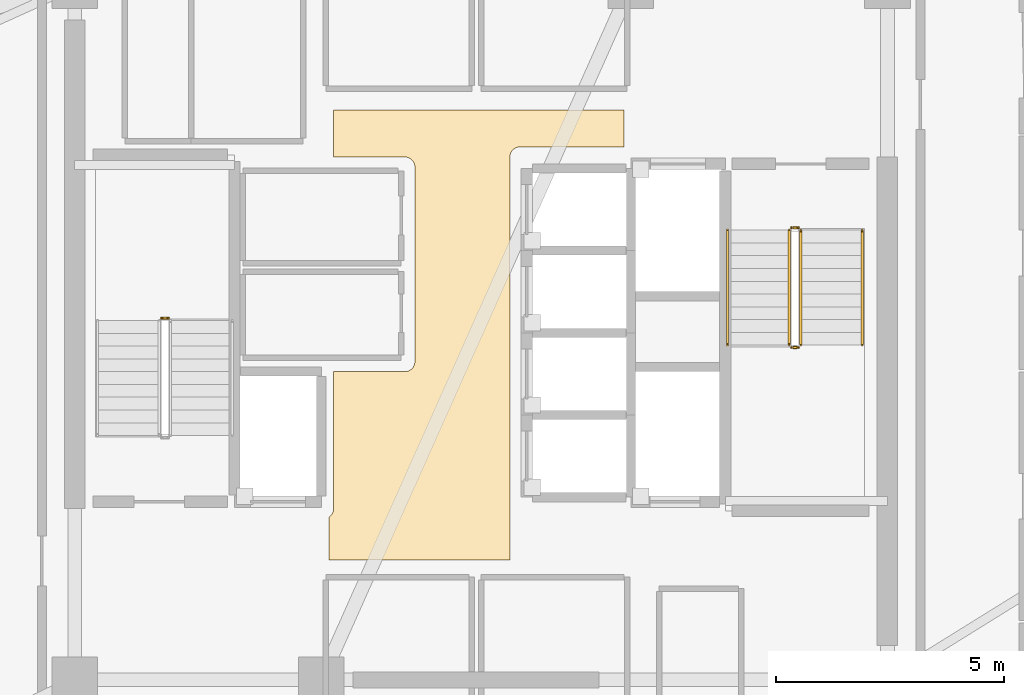
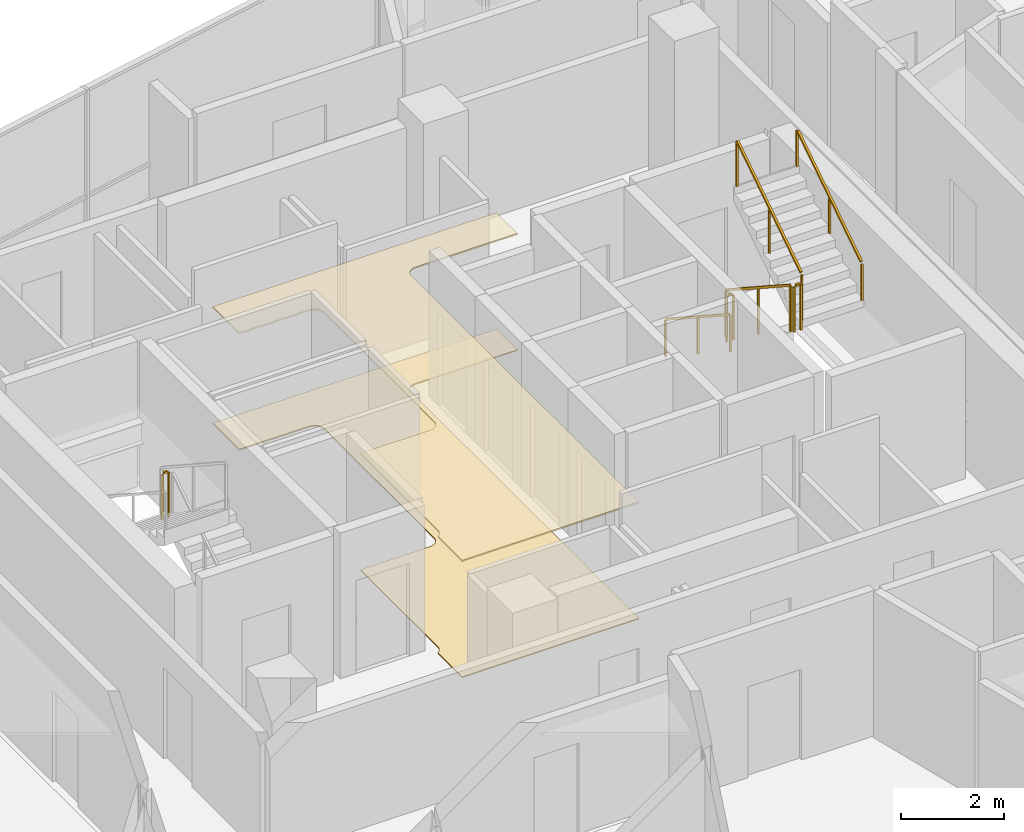
# One storey, part 16 of 17: 7 railings, 2 coverings.
"""IFC4 building model written with IfcOpenShell, lengths in metres."""

from ifc_helpers import new_model, si_unit, direction, frame, origin, origin_2d, place, context, subcontext, project, spatial, polyline, rectangle, outline, extrude, material, layer, layer_set, type_object, element, save


model = new_model("IFC4")

# Units and contexts
model_context = context("Model", 3, precision=1e-05, world=origin(), true_north=direction((0.0, 1.0)))
body_context = subcontext(model_context, "Body", "Model", "MODEL_VIEW")
ifc_project = project(units=[si_unit("LENGTHUNIT", "METRE"), si_unit("AREAUNIT", "SQUARE_METRE"), si_unit("VOLUMEUNIT", "CUBIC_METRE"), si_unit("PLANEANGLEUNIT", "RADIAN"), si_unit("MASSUNIT", "GRAM", prefix="KILO")], contexts=[model_context])

# Site, building, storey
site_placement = place(None, origin())
site = spatial("IfcSite", under=ifc_project, at=site_placement, CompositionType="ELEMENT")
building_placement = place(site_placement, origin())
building = spatial("IfcBuilding", under=site, at=building_placement, Name="Tharavind Bronze Gate", CompositionType="ELEMENT")
storey_placement = place(building_placement, frame((0.0, 0.0, 294.35009765625)))
storey = spatial("IfcBuildingStorey", under=building, at=storey_placement, Name="L76", CompositionType="ELEMENT", Elevation=294.35009765625)

# Coverings
ifc_material_1 = material(Name="Perforated Bronze Acoustic Panel", Category="bronze")
ifc_layer_1 = layer(ifc_material_1, 0.044921875)
ifc_layer_set_1 = layer_set([ifc_layer_1], Name="Perforated Bronze Acoustic Panel")
covering_type_1 = type_object("IfcCoveringType", Name="ACOUSTIC BRONZE BAFFLE CEILING", PredefinedType="CEILING", material=ifc_layer_set_1)
covering_1_placement = place(storey_placement, frame((0.0, 0.0, 2.75)))
element("IfcCovering", 1, at=covering_1_placement, inside=storey, type_object=covering_type_1, Name="L76-C-LL suspended ceiling", PredefinedType="CEILING", context=body_context, shape_type="SweptSolid", body=[
    extrude(outline(polyline([(-3.330078125, -4.97998046875), (0.6298828125, -4.97998046875), (0.6298828125, 3.85009765625), (0.631103515625, 3.87158203125), (0.63427734375, 3.892822265625), (0.639404296875, 3.913818359375), (0.646728515625, 3.93408203125), (0.656005859375, 3.95361328125), (0.6669921875, 3.97216796875), (0.679931640625, 3.989501953125), (0.6943359375, 4.005615234375), (0.71044921875, 4.02001953125), (0.727783203125, 4.032958984375), (0.746337890625, 4.0439453125), (0.765869140625, 4.05322265625), (0.7861328125, 4.060546875), (0.80712890625, 4.06591796875), (0.828369140625, 4.06884765625), (0.85009765625, 4.070068359375), (3.1298828125, 4.070068359375), (3.1298828125, 4.8798828125), (-3.22998046875, 4.8798828125), (-3.22998046875, 3.85009765625), (-1.669921875, 3.85009765625), (-1.6484375, 3.848876953125), (-1.627197265625, 3.845703125), (-1.606201171875, 3.840576171875), (-1.585693359375, 3.833251953125), (-1.56640625, 3.823974609375), (-1.5478515625, 3.81298828125), (-1.530517578125, 3.800048828125), (-1.514404296875, 3.78564453125), (-1.5, 3.76953125), (-1.487060546875, 3.752197265625), (-1.47607421875, 3.733642578125), (-1.466796875, 3.714111328125), (-1.45947265625, 3.69384765625), (-1.4541015625, 3.6728515625), (-1.451171875, 3.651611328125), (-1.449951171875, 3.6298828125), (-1.449951171875, 1.43994140625), (-1.450439453125, 1.429931640625), (-1.449951171875, 1.419921875), (-1.449951171875, -0.6298828125), (-1.451171875, -0.651611328125), (-1.4541015625, -0.6728515625), (-1.45947265625, -0.69384765625), (-1.466796875, -0.714111328125), (-1.47607421875, -0.733642578125), (-1.487060546875, -0.752197265625), (-1.5, -0.76953125), (-1.514404296875, -0.78564453125), (-1.530517578125, -0.800048828125), (-1.5478515625, -0.81298828125), (-1.56640625, -0.823974609375), (-1.585693359375, -0.833251953125), (-1.606201171875, -0.840576171875), (-1.627197265625, -0.845703125), (-1.6484375, -0.848876953125), (-1.669921875, -0.85009765625), (-3.22998046875, -0.85009765625), (-3.22998046875, -3.85009765625), (-3.231201171875, -3.87158203125), (-3.234130859375, -3.892822265625), (-3.239501953125, -3.913818359375), (-3.24658203125, -3.93408203125), (-3.256103515625, -3.95361328125), (-3.26708984375, -3.97216796875), (-3.27978515625, -3.989501953125), (-3.29443359375, -4.005615234375), (-3.310302734375, -4.02001953125), (-3.327880859375, -4.032958984375), (-3.330078125, -4.0341796875), (-3.330078125, -4.97998046875)])), origin(), (0.0, 0.0, 1.0), 0.034912109375),
])
ifc_material_2 = material(Name="Honed Travertine Limestone", Category="masonry")
ifc_layer_2 = layer(ifc_material_2, 0.030029296875)
ifc_layer_set_2 = layer_set([ifc_layer_2], Name="Honed Travertine Limestone")
covering_type_2 = type_object("IfcCoveringType", Name="HONED LIMESTONE FLOORING", PredefinedType="FLOORING", material=ifc_layer_set_2)
covering_2_placement = place(storey_placement, origin())
element("IfcCovering", 2, at=covering_2_placement, inside=storey, type_object=covering_type_2, Name="L76-C-LL floor finish", PredefinedType="FLOORING", context=body_context, shape_type="SweptSolid", body=[
    extrude(outline(polyline([(-3.330078125, -4.97998046875), (0.6298828125, -4.97998046875), (0.6298828125, 3.85009765625), (0.631103515625, 3.87158203125), (0.63427734375, 3.892822265625), (0.639404296875, 3.913818359375), (0.646728515625, 3.93408203125), (0.656005859375, 3.95361328125), (0.6669921875, 3.97216796875), (0.679931640625, 3.989501953125), (0.6943359375, 4.005615234375), (0.71044921875, 4.02001953125), (0.727783203125, 4.032958984375), (0.746337890625, 4.0439453125), (0.765869140625, 4.05322265625), (0.7861328125, 4.060546875), (0.80712890625, 4.06591796875), (0.828369140625, 4.06884765625), (0.85009765625, 4.070068359375), (3.1298828125, 4.070068359375), (3.1298828125, 4.8798828125), (-3.22998046875, 4.8798828125), (-3.22998046875, 3.85009765625), (-1.669921875, 3.85009765625), (-1.6484375, 3.848876953125), (-1.627197265625, 3.845703125), (-1.606201171875, 3.840576171875), (-1.585693359375, 3.833251953125), (-1.56640625, 3.823974609375), (-1.5478515625, 3.81298828125), (-1.530517578125, 3.800048828125), (-1.514404296875, 3.78564453125), (-1.5, 3.76953125), (-1.487060546875, 3.752197265625), (-1.47607421875, 3.733642578125), (-1.466796875, 3.714111328125), (-1.45947265625, 3.69384765625), (-1.4541015625, 3.6728515625), (-1.451171875, 3.651611328125), (-1.449951171875, 3.6298828125), (-1.449951171875, 1.43994140625), (-1.450439453125, 1.429931640625), (-1.449951171875, 1.419921875), (-1.449951171875, -0.6298828125), (-1.451171875, -0.651611328125), (-1.4541015625, -0.6728515625), (-1.45947265625, -0.69384765625), (-1.466796875, -0.714111328125), (-1.47607421875, -0.733642578125), (-1.487060546875, -0.752197265625), (-1.5, -0.76953125), (-1.514404296875, -0.78564453125), (-1.530517578125, -0.800048828125), (-1.5478515625, -0.81298828125), (-1.56640625, -0.823974609375), (-1.585693359375, -0.833251953125), (-1.606201171875, -0.840576171875), (-1.627197265625, -0.845703125), (-1.6484375, -0.848876953125), (-1.669921875, -0.85009765625), (-3.22998046875, -0.85009765625), (-3.22998046875, -3.85009765625), (-3.231201171875, -3.87158203125), (-3.234130859375, -3.892822265625), (-3.239501953125, -3.913818359375), (-3.24658203125, -3.93408203125), (-3.256103515625, -3.95361328125), (-3.26708984375, -3.97216796875), (-3.27978515625, -3.989501953125), (-3.29443359375, -4.005615234375), (-3.310302734375, -4.02001953125), (-3.327880859375, -4.032958984375), (-3.330078125, -4.0341796875), (-3.330078125, -4.97998046875)])), origin(), (0.0, 0.0, 1.0), 0.02490234375),
])

# Railings
ifc_material_3 = material(Name="Brushed Bronze Alloy", Category="metal")
railing_type_1 = type_object("IfcRailingType", Name="STAIR BRONZE HANDRAIL 900", PredefinedType="HANDRAIL", material=ifc_material_3)
railing_1_placement = place(storey_placement, frame((5.39990234375, 2.25, 0.182373046875)))
element("IfcRailing", 3, at=railing_1_placement, inside=storey, type_object=railing_type_1, Name="L76 ST2 stair handrail 1", PredefinedType="HANDRAIL", context=body_context, shape_type="SweptSolid", body=[
    extrude(rectangle(XDim=0.048095703125, YDim=0.048095703125, at=origin_2d()), frame((0.0, -0.02685546875, 0.893310546875), z_axis=(0.0, -0.837749427056, 0.546054848405), x_axis=(1.0, 0.0, 0.0)), (0.0, 0.0, 1.0), 2.944091796875),
    extrude(rectangle(XDim=0.0400390625, YDim=0.0400390625, at=origin_2d()), origin(), (0.0, 0.0, 1.0), 0.847900390625),
    extrude(rectangle(XDim=0.0400390625, YDim=0.0400390625, at=origin_2d()), frame((0.0, -1.260009765625, 0.8212890625)), (0.0, 0.0, 1.0), 0.847900390625),
    extrude(rectangle(XDim=0.0400390625, YDim=0.0400390625, at=origin_2d()), frame((0.0, -2.52001953125, 1.642578125)), (0.0, 0.0, 1.0), 0.847900390625),
])
railing_2_placement = place(storey_placement, frame((8.35009765625, -0.27001953125, 2.00732421875)))
element("IfcRailing", 4, at=railing_2_placement, inside=storey, type_object=railing_type_1, Name="L76 ST2 stair handrail 2", PredefinedType="HANDRAIL", context=body_context, shape_type="SweptSolid", body=[
    extrude(rectangle(XDim=0.048095703125, YDim=0.048095703125, at=origin_2d()), frame((0.0, 0.02685546875, 0.893310546875), z_axis=(0.0, 0.837749427056, 0.546054848405), x_axis=(-1.0, 0.0, 0.0)), (0.0, 0.0, 1.0), 2.944091796875),
    extrude(rectangle(XDim=0.0400390625, YDim=0.0400390625, at=origin_2d()), origin(), (0.0, 0.0, 1.0), 0.847900390625),
    extrude(rectangle(XDim=0.0400390625, YDim=0.0400390625, at=origin_2d()), frame((0.0, 1.260009765625, 0.8212890625)), (0.0, 0.0, 1.0), 0.847900390625),
    extrude(rectangle(XDim=0.0400390625, YDim=0.0400390625, at=origin_2d()), frame((0.0, 2.52001953125, 1.642578125)), (0.0, 0.0, 1.0), 0.847900390625),
])
railing_type_2 = type_object("IfcRailingType", Name="STAIR WELL GUARD RAILING 1120", PredefinedType="GUARDRAIL", material=ifc_material_3)
railing_3_placement = place(storey_placement, frame((-6.85009765625, 0.320068359375, 1.824951171875)))
element("IfcRailing", 5, at=railing_3_placement, inside=storey, type_object=railing_type_2, Name="L76 ST1 stair guard 2", PredefinedType="GUARDRAIL", context=body_context, shape_type="SweptSolid", body=[
    extrude(rectangle(XDim=0.048095703125, YDim=0.048095703125, at=origin_2d()), frame((-0.031982421875, 0.0, 1.09619140625), z_axis=(-1.0, 0.0, 0.0), x_axis=(0.0, -1.0, 0.0)), (0.0, 0.0, 1.0), 0.0859375),
    extrude(rectangle(XDim=0.0400390625, YDim=0.0400390625, at=origin_2d()), origin(), (0.0, 0.0, 1.0), 1.068115234375),
    extrude(rectangle(XDim=0.0400390625, YDim=0.0400390625, at=origin_2d()), frame((-0.14990234375, 0.0, 0.0)), (0.0, 0.0, 1.0), 1.068115234375),
])
railing_4_placement = place(storey_placement, frame((6.75, 2.25, 0.182373046875)))
element("IfcRailing", 6, at=railing_4_placement, inside=storey, type_object=railing_type_2, Name="L76 ST2 stair guard 1", PredefinedType="GUARDRAIL", context=body_context, shape_type="SweptSolid", body=[
    extrude(rectangle(XDim=0.048095703125, YDim=0.048095703125, at=origin_2d()), frame((0.0, -0.02685546875, 1.113525390625), z_axis=(0.0, -0.837749427056, 0.546054848405), x_axis=(1.0, 0.0, 0.0)), (0.0, 0.0, 1.0), 2.944091796875),
    extrude(rectangle(XDim=0.0400390625, YDim=0.0400390625, at=origin_2d()), origin(), (0.0, 0.0, 1.0), 1.068115234375),
    extrude(rectangle(XDim=0.0400390625, YDim=0.0400390625, at=origin_2d()), frame((0.0, -1.260009765625, 0.8212890625)), (0.0, 0.0, 1.0), 1.068115234375),
    extrude(rectangle(XDim=0.0400390625, YDim=0.0400390625, at=origin_2d()), frame((0.0, -2.52001953125, 1.642578125)), (0.0, 0.0, 1.0), 1.068115234375),
])
railing_5_placement = place(storey_placement, frame((6.800048828125, -0.320068359375, 1.824951171875)))
element("IfcRailing", 7, at=railing_5_placement, inside=storey, type_object=railing_type_2, Name="L76 ST2 stair guard 2", PredefinedType="GUARDRAIL", context=body_context, shape_type="SweptSolid", body=[
    extrude(rectangle(XDim=0.048095703125, YDim=0.048095703125, at=origin_2d()), frame((0.031982421875, 0.0, 1.09619140625), z_axis=(1.0, 0.0, 0.0), x_axis=(0.0, 1.0, 0.0)), (0.0, 0.0, 1.0), 0.0859375),
    extrude(rectangle(XDim=0.0400390625, YDim=0.0400390625, at=origin_2d()), origin(), (0.0, 0.0, 1.0), 1.068115234375),
    extrude(rectangle(XDim=0.0400390625, YDim=0.0400390625, at=origin_2d()), frame((0.14990234375, 0.0, 0.0)), (0.0, 0.0, 1.0), 1.068115234375),
])
railing_6_placement = place(storey_placement, frame((7.0, -0.27001953125, 2.00732421875)))
element("IfcRailing", 8, at=railing_6_placement, inside=storey, type_object=railing_type_2, Name="L76 ST2 stair guard 3", PredefinedType="GUARDRAIL", context=body_context, shape_type="SweptSolid", body=[
    extrude(rectangle(XDim=0.048095703125, YDim=0.048095703125, at=origin_2d()), frame((0.0, 0.02685546875, 1.113525390625), z_axis=(0.0, 0.837749427056, 0.546054848405), x_axis=(-1.0, 0.0, 0.0)), (0.0, 0.0, 1.0), 2.944091796875),
    extrude(rectangle(XDim=0.0400390625, YDim=0.0400390625, at=origin_2d()), origin(), (0.0, 0.0, 1.0), 1.068115234375),
    extrude(rectangle(XDim=0.0400390625, YDim=0.0400390625, at=origin_2d()), frame((0.0, 1.260009765625, 0.8212890625)), (0.0, 0.0, 1.0), 1.068115234375),
    extrude(rectangle(XDim=0.0400390625, YDim=0.0400390625, at=origin_2d()), frame((0.0, 2.52001953125, 1.642578125)), (0.0, 0.0, 1.0), 1.068115234375),
])
railing_7_placement = place(storey_placement, frame((6.800048828125, 2.300048828125, 0.0)))
element("IfcRailing", 9, at=railing_7_placement, inside=storey, type_object=railing_type_2, Name="L76 ST2 stair guard 4", PredefinedType="GUARDRAIL", context=body_context, shape_type="SweptSolid", body=[
    extrude(rectangle(XDim=0.048095703125, YDim=0.048095703125, at=origin_2d()), frame((0.031982421875, 0.0, 1.09619140625), z_axis=(1.0, 0.0, 0.0), x_axis=(0.0, 1.0, 0.0)), (0.0, 0.0, 1.0), 0.0859375),
    extrude(rectangle(XDim=0.0400390625, YDim=0.0400390625, at=origin_2d()), origin(), (0.0, 0.0, 1.0), 1.068115234375),
    extrude(rectangle(XDim=0.0400390625, YDim=0.0400390625, at=origin_2d()), frame((0.14990234375, 0.0, 0.0)), (0.0, 0.0, 1.0), 1.068115234375),
])

save(model, "model.ifc")
